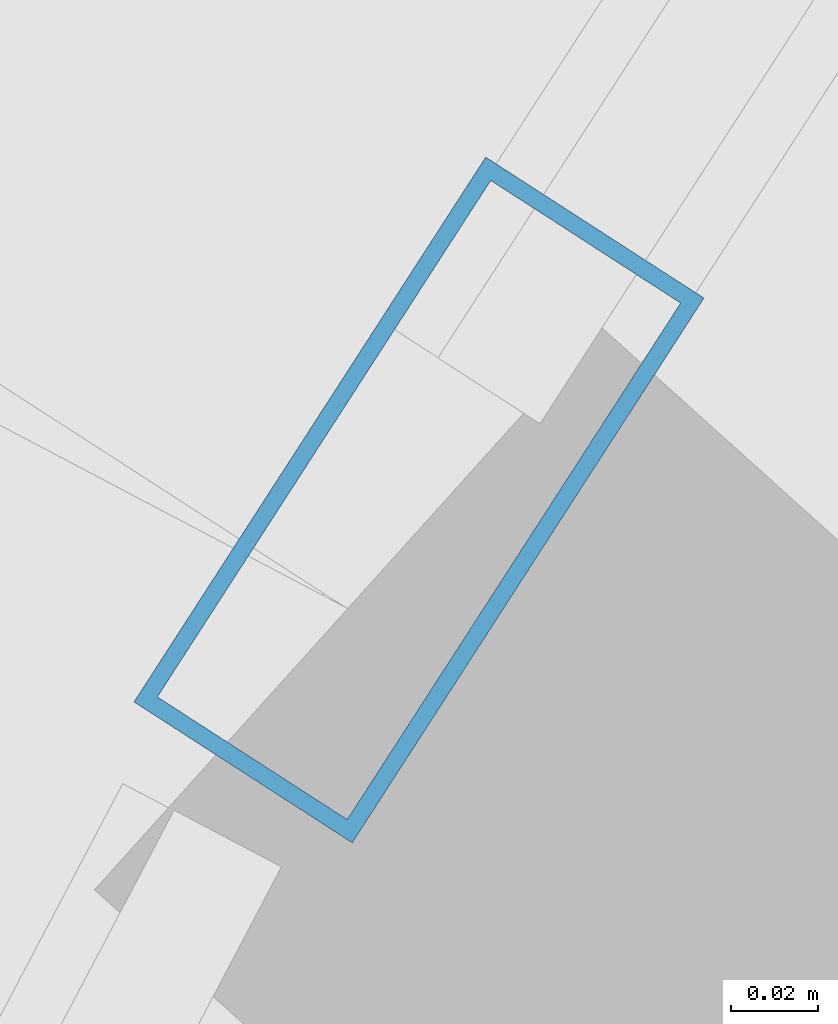
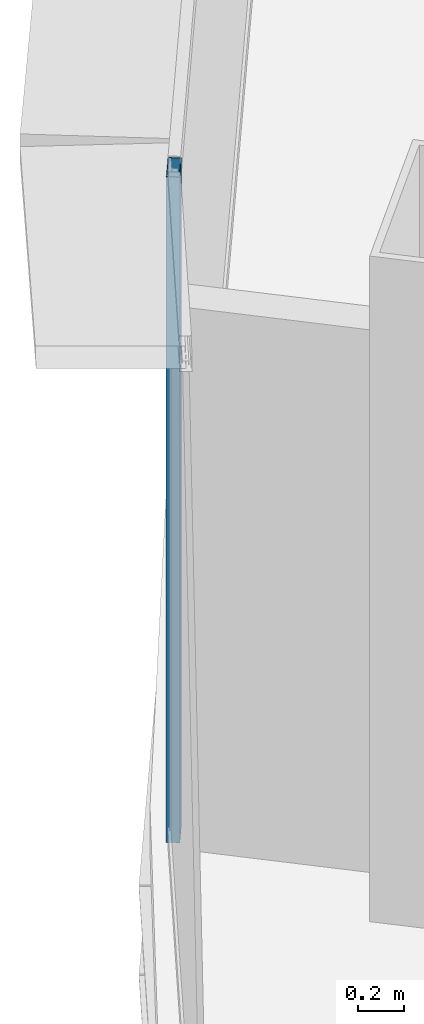
# One storey, part 16 of 36: 1 member, 1 element without a shape of its own.
"""IFC4 building model written with IfcOpenShell, lengths in metres."""

from ifc_helpers import new_model, si_unit, direction, frame, origin, origin_2d, place, context, subcontext, project, spatial, hollow_rectangle, extrude, source, transform, mapped, material, layer, layer_set, material_profile, profile_set, type_object, element, aggregate, save


model = new_model("IFC4")

# Units and contexts
model_context = context("Model", 3, precision=1e-05, world=origin(), true_north=direction((0.0, 1.0)))
body_context = subcontext(model_context, "Body", "Model", "MODEL_VIEW")
ifc_project = project(units=[si_unit("LENGTHUNIT", "METRE"), si_unit("AREAUNIT", "SQUARE_METRE"), si_unit("VOLUMEUNIT", "CUBIC_METRE"), si_unit("PLANEANGLEUNIT", "RADIAN"), si_unit("MASSUNIT", "GRAM", prefix="KILO"), si_unit("THERMODYNAMICTEMPERATUREUNIT", "KELVIN"), si_unit("POWERUNIT", "WATT")], contexts=[model_context])

# Site, building, storey
site_placement = place(None, origin())
site = spatial("IfcSite", under=ifc_project, at=site_placement, CompositionType="ELEMENT")
building_placement = place(site_placement, origin())
building = spatial("IfcBuilding", under=site, at=building_placement, Name="Yunzhuo Pagoda Commons", CompositionType="ELEMENT")
storey_placement = place(building_placement, frame((0.0, 0.0, 215.159912109375)))
storey = spatial("IfcBuildingStorey", under=building, at=storey_placement, Name="L54", CompositionType="ELEMENT", Elevation=215.159912109375)

# Curtain wall, member
ifc_material = material(Name="Anodized aluminium 6063-T6", Category="aluminium")
ifc_layer = layer(ifc_material, 0.14990234375)
ifc_layer_set = layer_set([ifc_layer], Name="Anodized aluminium 6063-T6")
curtain_wall_type = type_object("IfcCurtainWallType", Name="CW-MID Mid-Zone Ribbon Curtain Wall", PredefinedType="NOTDEFINED", material=ifc_layer_set)
curtain_wall_placement = place(storey_placement, origin())
curtain_wall = element("IfcCurtainWall", 1, at=curtain_wall_placement, inside=storey, type_object=curtain_wall_type, Name="L54 curtain wall CW-L54-F3B2", PredefinedType="NOTDEFINED")
ifc_material_profile = material_profile(ifc_material, hollow_rectangle(XDim=0.06005859375, YDim=0.14990234375, WallThickness=0.00390625, at=origin_2d()), Name="Anodized aluminium 6063-T6")
ifc_profile_set = profile_set([ifc_material_profile], Name="Anodized aluminium 6063-T6")
member_type = type_object("IfcMemberType", Name="CW-MID-M Mullion RHS 150x60x4", PredefinedType="MULLION", material=ifc_profile_set)
shared_shape = source(origin(), body_context, "Body", "SweptSolid", [
    extrude(hollow_rectangle(XDim=0.06005859375, YDim=0.14990234375, WallThickness=0.00390625, at=origin_2d()), origin(), (0.0, 0.0, 1.0), 3.52001953125),
])
member_placement = place(storey_placement, frame((24.314453125, 55.06640625, 0.0), z_axis=(0.0, 0.0, 1.0), x_axis=(0.840138139518, -0.542372479508, 0.0)))
member = element("IfcMember", 2, at=member_placement, type_object=member_type, Name="CW mullion 2", PredefinedType="MULLION", context=body_context, shape_type="MappedRepresentation", body=[
    mapped(shared_shape, transform((0.0, 0.0, 0.0), scale=1.0)),
])
aggregate(curtain_wall, [member])

save(model, "model.ifc")
